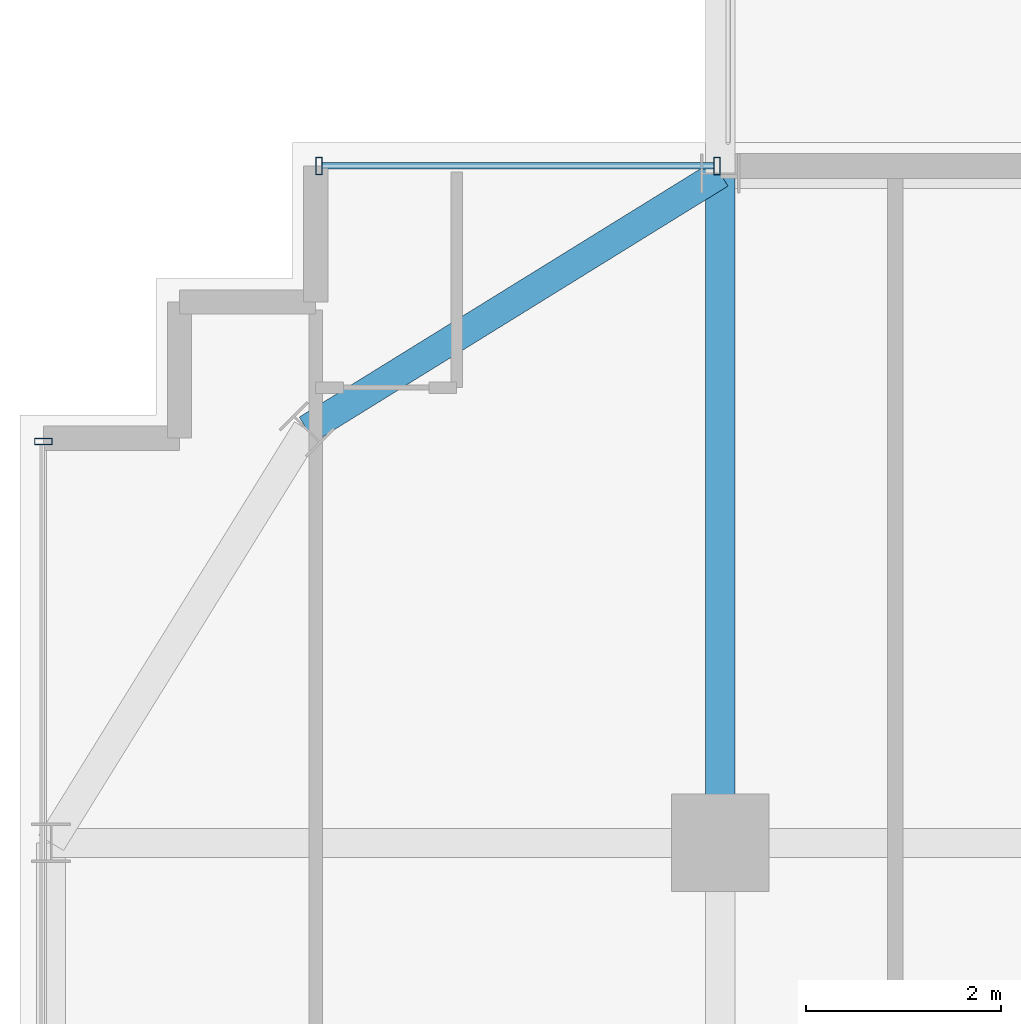
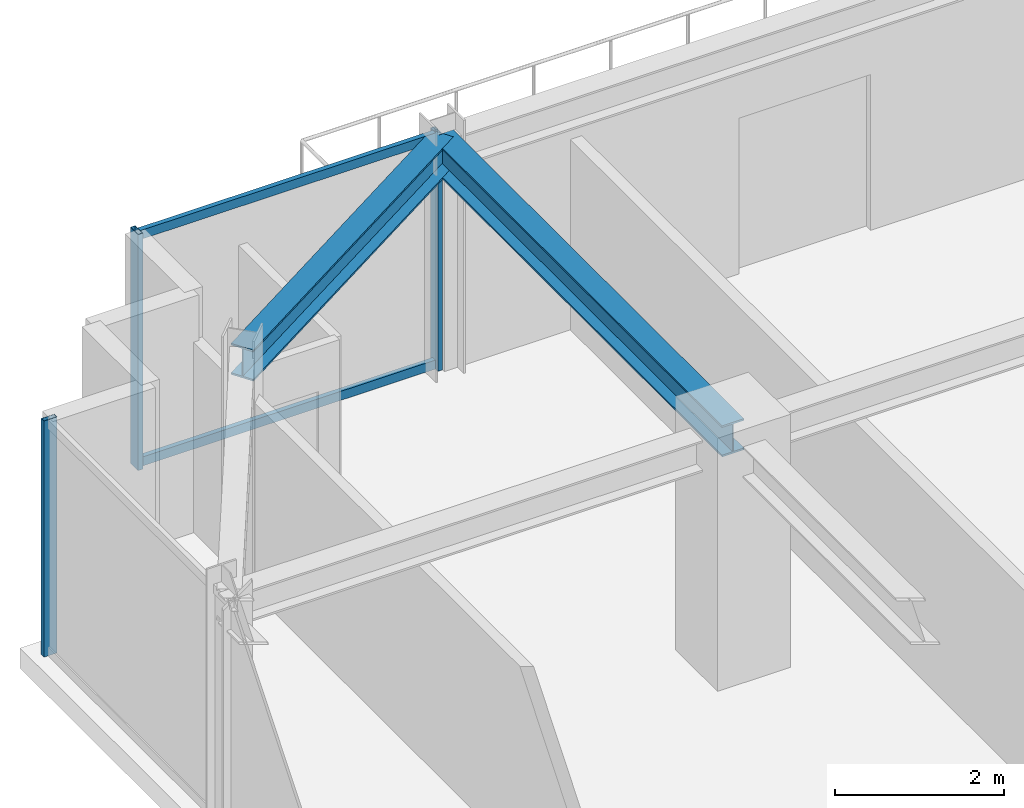
# One storey, part 20 of 36: 5 members, 2 beams, 2 elements without a shape of their own.
"""IFC4 building model written with IfcOpenShell, lengths in metres."""

from ifc_helpers import new_model, si_unit, direction, frame, origin, origin_2d, place, context, subcontext, project, spatial, hollow_rectangle, i_section, extrude, source, transform, mapped, material, material_profile, profile_set, type_object, element, aggregate, save


model = new_model("IFC4")

# Units and contexts
model_context = context("Model", 3, precision=1e-05, world=origin(), true_north=direction((0.0, 1.0)))
body_context = subcontext(model_context, "Body", "Model", "MODEL_VIEW")
ifc_project = project(units=[si_unit("LENGTHUNIT", "METRE"), si_unit("AREAUNIT", "SQUARE_METRE"), si_unit("VOLUMEUNIT", "CUBIC_METRE"), si_unit("PLANEANGLEUNIT", "RADIAN"), si_unit("MASSUNIT", "GRAM", prefix="KILO")], contexts=[model_context])

# Site, building, storey
site_placement = place(None, origin())
site = spatial("IfcSite", under=ifc_project, at=site_placement, CompositionType="ELEMENT")
building_placement = place(site_placement, origin())
building = spatial("IfcBuilding", under=site, at=building_placement, Name="Nahalor Promenade Grand Hotel", CompositionType="ELEMENT")
storey_placement = place(building_placement, frame((0.0, 0.0, 234.5)))
storey = spatial("IfcBuildingStorey", under=building, at=storey_placement, Name="L60", CompositionType="ELEMENT", Elevation=234.5)

# Beams
ifc_material_1 = material(Name="Steel S355JR", Category="steel")
ifc_material_profile_1 = material_profile(ifc_material_1, i_section(OverallWidth=0.3, OverallDepth=0.45, WebThickness=0.014, FlangeThickness=0.026, at=origin_2d()), Name="HEB 450")
ifc_profile_set_1 = profile_set([ifc_material_profile_1], Name="Steel S355JR")
beam_type_1 = type_object("IfcBeamType", Name="Beam-Spandrel-HEB450", PredefinedType="SPANDREL", material=ifc_profile_set_1)
shared_shape_1 = source(origin(), body_context, "Body", "SweptSolid", [
    extrude(i_section(OverallWidth=0.3, OverallDepth=0.45, WebThickness=0.014, FlangeThickness=0.026, at=origin_2d()), origin(), (0.0, 0.0, 1.0), 4.997802734375),
])
beam_1_placement = place(storey_placement, frame((-17.0, 23.8798828125, 3.18505859375), z_axis=(-0.850360908404, -0.526199891161, 0.0), x_axis=(0.526199891161, -0.850360908404, 0.0)))
element("IfcBeam", 1, at=beam_1_placement, inside=storey, type_object=beam_type_1, Name="BM-L60-SPC-NW-1", PredefinedType="SPANDREL", context=body_context, shape_type="MappedRepresentation", body=[
    mapped(shared_shape_1, transform((0.0, 0.0, 0.0), scale=1.0)),
])
ifc_material_profile_2 = material_profile(ifc_material_1, i_section(OverallWidth=0.3, OverallDepth=0.45, WebThickness=0.014, FlangeThickness=0.026, at=origin_2d()), Name="HEB 450")
ifc_profile_set_2 = profile_set([ifc_material_profile_2], Name="Steel S355JR")
beam_type_2 = type_object("IfcBeamType", Name="Beam-Girder-HEB450", PredefinedType="BEAM", material=ifc_profile_set_2)
shared_shape_2 = source(origin(), body_context, "Body", "SweptSolid", [
    extrude(i_section(OverallWidth=0.3, OverallDepth=0.45, WebThickness=0.014, FlangeThickness=0.026, at=origin_2d()), origin(), (0.0, 0.0, 1.0), 6.8798828125),
])
beam_2_placement = place(storey_placement, frame((-17.0, 17.0, 3.18505859375), z_axis=(0.0, 1.0, 0.0), x_axis=(-1.0, 0.0, 0.0)))
element("IfcBeam", 2, at=beam_2_placement, inside=storey, type_object=beam_type_2, Name="BM-L60-GY-0-4", PredefinedType="BEAM", context=body_context, shape_type="MappedRepresentation", body=[
    mapped(shared_shape_2, transform((0.0, 0.0, 0.0), scale=1.0)),
])

# Curtain wall, members
ifc_material_2 = material(Name="Anodised Bronze Aluminium EN AW-6063 T6", Category="aluminium")
curtain_wall_type = type_object("IfcCurtainWallType", Name="CW2 Typical Hotel Flush Bronze Unitised Curtain Wall", PredefinedType="USERDEFINED", material=ifc_material_2)
curtain_wall_1_placement = place(storey_placement, origin())
curtain_wall_1 = element("IfcCurtainWall", 3, at=curtain_wall_1_placement, inside=storey, type_object=curtain_wall_type, Name="L60 Curtain Wall CW-L60-N-1", ObjectType="UNITISED_CURTAIN_WALL", PredefinedType="USERDEFINED")
ifc_material_profile_3 = material_profile(ifc_material_2, hollow_rectangle(XDim=0.065, YDim=0.13, WallThickness=0.004, at=origin_2d()), Name="CWT 65x130x4")
ifc_profile_set_3 = profile_set([ifc_material_profile_3], Name="Anodised Bronze Aluminium EN AW-6063 T6")
member_type_1 = type_object("IfcMemberType", Name="CWT2 Typical Bronze Transom 65x130", PredefinedType="USERDEFINED", material=ifc_profile_set_3)
shared_shape_3 = source(origin(), body_context, "Body", "SweptSolid", [
    extrude(hollow_rectangle(XDim=0.065, YDim=0.13, WallThickness=0.004, at=origin_2d()), origin(), (0.0, 0.0, 1.0), 4.030029296875),
])
member_1_placement = place(storey_placement, frame((-21.094970703125, 23.9599609375, 0.06494140625), z_axis=(1.0, 0.0, 0.0), x_axis=(0.0, 1.0, 0.0)))
member_1 = element("IfcMember", 4, at=member_1_placement, type_object=member_type_1, Name="CW-L60-N-1 Transom 0-0", ObjectType="TRANSOM", PredefinedType="USERDEFINED", context=body_context, shape_type="MappedRepresentation", body=[
    mapped(shared_shape_3, transform((0.0, 0.0, 0.0), scale=1.0)),
])
member_2_placement = place(storey_placement, frame((-21.094970703125, 23.9599609375, 3.344970703125), z_axis=(1.0, 0.0, 0.0), x_axis=(0.0, 1.0, 0.0)))
member_2 = element("IfcMember", 5, at=member_2_placement, type_object=member_type_1, Name="CW-L60-N-1 Transom 0-1", ObjectType="TRANSOM", PredefinedType="USERDEFINED", context=body_context, shape_type="MappedRepresentation", body=[
    mapped(shared_shape_3, transform((0.0, 0.0, 0.0), scale=1.0)),
])
ifc_material_profile_4 = material_profile(ifc_material_2, hollow_rectangle(XDim=0.065, YDim=0.18, WallThickness=0.004, at=origin_2d()), Name="CWM 65x180x4")
ifc_profile_set_4 = profile_set([ifc_material_profile_4], Name="Anodised Bronze Aluminium EN AW-6063 T6")
member_type_2 = type_object("IfcMemberType", Name="CWM2 Typical Bronze Mullion 65x180", PredefinedType="MULLION", material=ifc_profile_set_4)
shared_shape_4 = source(origin(), body_context, "Body", "SweptSolid", [
    extrude(hollow_rectangle(XDim=0.065, YDim=0.18, WallThickness=0.004, at=origin_2d()), origin(), (0.0, 0.0, 1.0), 3.409912109375),
])
member_3_placement = place(storey_placement, frame((-21.12744140625, 23.9599609375, 0.0), z_axis=(0.0, 0.0, 1.0), x_axis=(1.0, 0.0, 0.0)))
member_3 = element("IfcMember", 6, at=member_3_placement, type_object=member_type_2, Name="CW-L60-N-1 Mullion 0", PredefinedType="MULLION", context=body_context, shape_type="MappedRepresentation", body=[
    mapped(shared_shape_4, transform((0.0, 0.0, 0.0), scale=1.0)),
])
member_4_placement = place(storey_placement, frame((-17.032470703125, 23.9599609375, 0.0), z_axis=(0.0, 0.0, 1.0), x_axis=(1.0, 0.0, 0.0)))
member_4 = element("IfcMember", 7, at=member_4_placement, type_object=member_type_2, Name="CW-L60-N-1 Mullion 1", PredefinedType="MULLION", context=body_context, shape_type="MappedRepresentation", body=[
    mapped(shared_shape_4, transform((0.0, 0.0, 0.0), scale=1.0)),
])
aggregate(curtain_wall_1, [member_3, member_4, member_1, member_2])

# Curtain wall, member
curtain_wall_2_placement = place(storey_placement, origin())
curtain_wall_2 = element("IfcCurtainWall", 8, at=curtain_wall_2_placement, inside=storey, type_object=curtain_wall_type, Name="L60 Curtain Wall CW-L60-W-1", ObjectType="UNITISED_CURTAIN_WALL", PredefinedType="USERDEFINED")
member_5_placement = place(storey_placement, frame((-23.9599609375, 21.12744140625, 0.0), z_axis=(0.0, 0.0, 1.0), x_axis=(0.0, 1.0, 0.0)))
member_5 = element("IfcMember", 9, at=member_5_placement, type_object=member_type_2, Name="CW-L60-W-1 Mullion 4", PredefinedType="MULLION", context=body_context, shape_type="MappedRepresentation", body=[
    mapped(shared_shape_4, transform((0.0, 0.0, 0.0), scale=1.0)),
])
aggregate(curtain_wall_2, [member_5])

save(model, "model.ifc")
